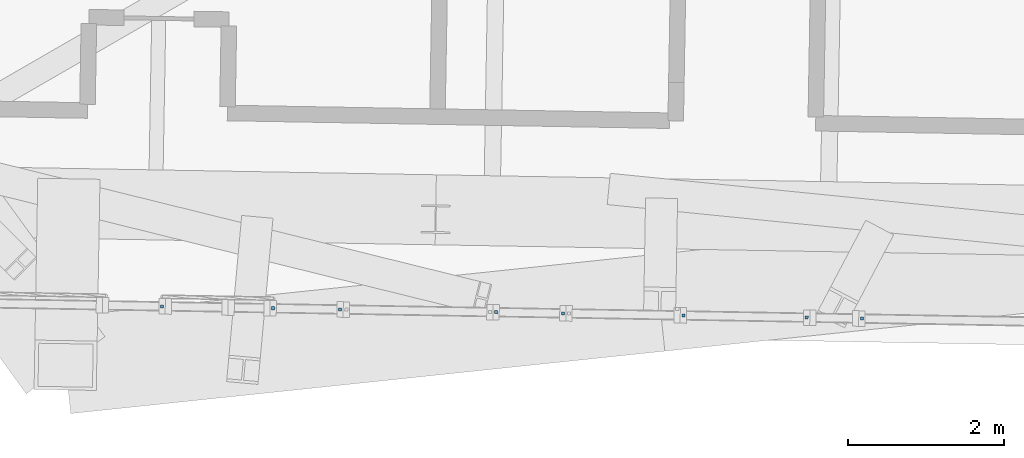
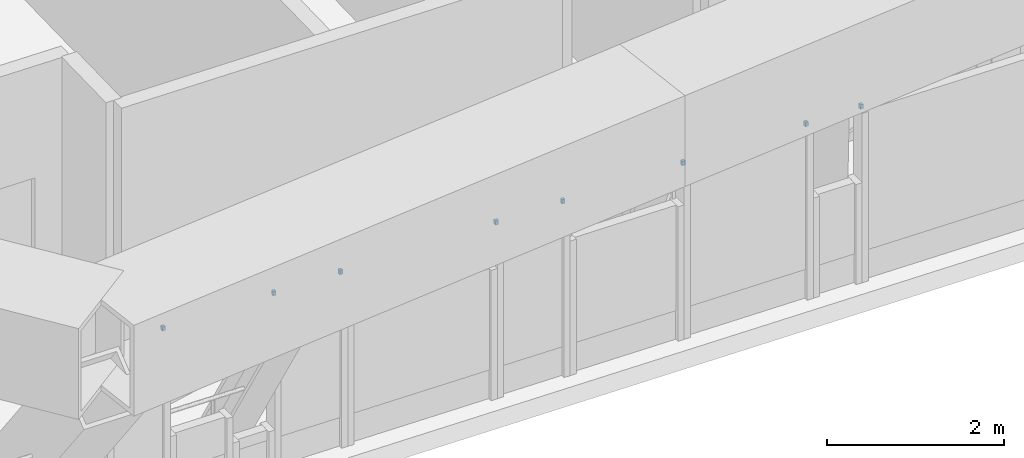
# One storey, part 23 of 28: 8 discrete accessories.
"""IFC4 building model written with IfcOpenShell, lengths in metres."""

from ifc_helpers import new_model, si_unit, direction, frame, origin, origin_2d, place, context, subcontext, project, spatial, rectangle, extrude, source, transform, mapped, material, element, save


model = new_model("IFC4")

# Units and contexts
model_context = context("Model", 3, precision=1e-05, world=origin(), true_north=direction((0.0, 1.0)))
body_context = subcontext(model_context, "Body", "Model", "MODEL_VIEW")
ifc_project = project(units=[si_unit("LENGTHUNIT", "METRE"), si_unit("AREAUNIT", "SQUARE_METRE"), si_unit("VOLUMEUNIT", "CUBIC_METRE"), si_unit("PLANEANGLEUNIT", "RADIAN"), si_unit("MASSUNIT", "GRAM", prefix="KILO")], contexts=[model_context])

# Site, building, storey
site_placement = place(None, origin())
site = spatial("IfcSite", under=ifc_project, at=site_placement, CompositionType="ELEMENT")
building_placement = place(site_placement, origin())
building = spatial("IfcBuilding", under=site, at=building_placement, Name="Triune Harvest Tower", CompositionType="ELEMENT")
storey_placement = place(building_placement, frame((0.0, 0.0, 215.89990234375)))
storey = spatial("IfcBuildingStorey", under=building, at=storey_placement, Name="L56", CompositionType="ELEMENT", Elevation=215.89990234375)

# Discrete accessories
ifc_material = material(Name="Steel ASTM A992 Gr 50", Category="steel")
shared_shape = source(origin(), body_context, "Body", "SweptSolid", [
    extrude(rectangle(XDim=0.0400390625, YDim=0.0400390625, at=origin_2d()), origin(), (0.0, 0.0, 1.0), 0.06005859375),
])
for number, where, z_axis, x_axis, name in (
    (1, (-19.707275390625, -20.336181640625, 2.330078125), (0.0, 0.0, 1.0), (0.999847573291, -0.017459386691, 0.0), "Mullion end bracket B5-F5 L56.301 upper"),
    (2, (-18.27978515625, -20.361083984375, 2.330078125), (0.0, 0.0, 1.0), (0.999847816973, -0.017445426183, 0.0), "Mullion end bracket B5-F5 L56.601 upper"),
    (3, (-17.419921875, -20.376220703125, 2.330078125), (0.0, 0.0, 1.0), (0.999847816973, -0.017445426183, 0.0), "Mullion end bracket B5-F5 L56.601 upper"),
    (4, (-15.414306640625, -20.4111328125, 2.330078125), (0.0, 0.0, 1.0), (0.999847024295, -0.01749079782, 0.0), "Mullion end bracket B5-F5 L56.801 upper"),
    (5, (-14.556640625, -20.42626953125, 2.330078125), (0.0, 0.0, 1.0), (0.999847024295, -0.01749079782, 0.0), "Mullion end bracket B5-F5 L56.801 upper"),
    (6, (-13.0078125, -20.453125, 2.330078125), (0.0, 0.0, 1.0), (0.999847451377, -0.017466366943, 0.0), "Mullion end bracket B5-F5 L56.1001 upper"),
    (7, (-11.422119140625, -20.48095703125, 2.330078125), (0.0, 0.0, 1.0), (0.999847451377, -0.017466366943, 0.0), "Mullion end bracket B5-F5 L56.1001 upper"),
    (8, (-10.713134765625, -20.493408203125, 2.330078125), (0.0, 0.0, 1.0), (0.999847756071, -0.01744891631, 0.0), "Mullion end bracket B5-F5 L56.1201 upper"),
):
    element("IfcDiscreteAccessory", number, at=place(storey_placement, frame(where, z_axis=z_axis, x_axis=x_axis)), inside=storey, material=ifc_material, Name=name, ObjectType="BRACKET", PredefinedType="USERDEFINED", context=body_context, shape_type="MappedRepresentation", body=[
        mapped(shared_shape, transform((0.0, 0.0, 0.0), scale=1.0)),
    ])

save(model, "model.ifc")
